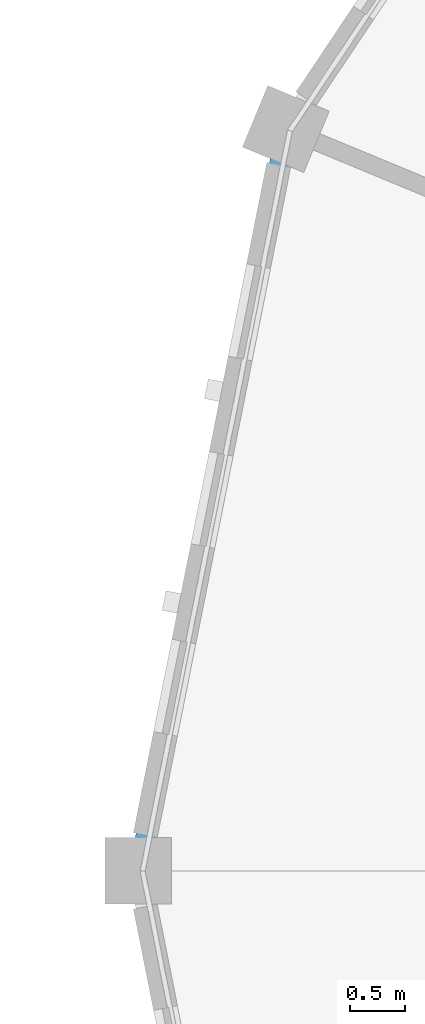
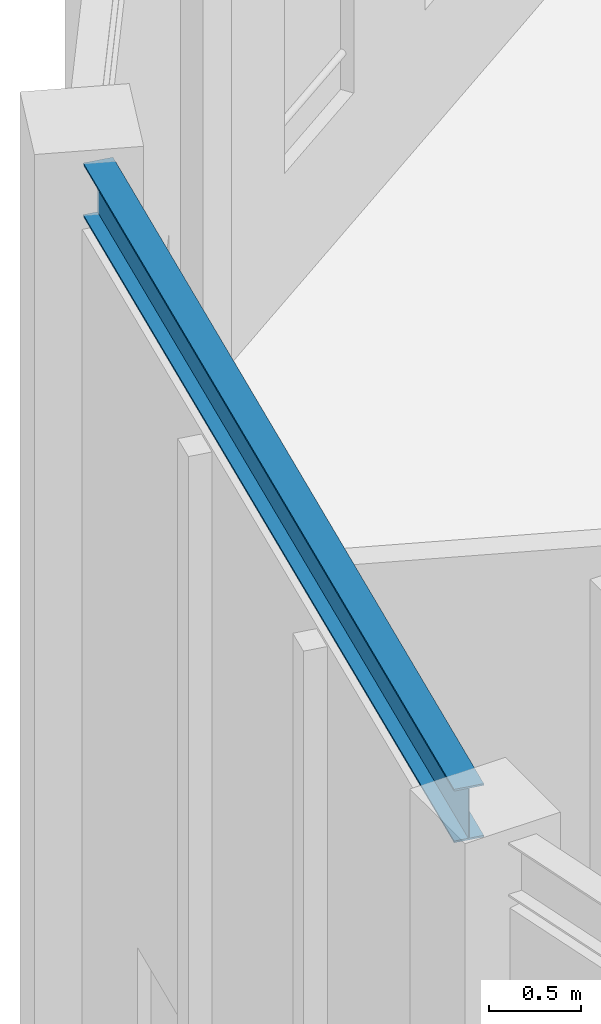
# One storey, part 76 of 149: 1 beam.
"""IFC4 building model written with IfcOpenShell, lengths in metres."""

from ifc_helpers import new_model, si_unit, direction, frame, origin, origin_2d, place, context, subcontext, project, spatial, i_section, extrude, material, material_profile, profile_set, type_object, element, save


model = new_model("IFC4")

# Units and contexts
model_context = context("Model", 3, precision=1e-05, world=origin(), true_north=direction((0.0, 1.0)))
body_context = subcontext(model_context, "Body", "Model", "MODEL_VIEW")
ifc_project = project(units=[si_unit("LENGTHUNIT", "METRE"), si_unit("AREAUNIT", "SQUARE_METRE"), si_unit("VOLUMEUNIT", "CUBIC_METRE"), si_unit("PLANEANGLEUNIT", "RADIAN"), si_unit("MASSUNIT", "GRAM", prefix="KILO")], contexts=[model_context])

# Site, building, storey
site_placement = place(None, origin())
site = spatial("IfcSite", under=ifc_project, at=site_placement, CompositionType="ELEMENT")
building_placement = place(site_placement, origin())
building = spatial("IfcBuilding", under=site, at=building_placement, Name="Celadon Cloister-Ring School", CompositionType="ELEMENT")
storey_placement = place(building_placement, frame((0.0, 0.0, 12.5)))
storey = spatial("IfcBuildingStorey", under=building, at=storey_placement, Name="L03", CompositionType="ELEMENT", Elevation=12.5)

# Beam
ifc_material = material(Name="Structural steel S355JR", Category="steel")
ifc_material_profile = material_profile(ifc_material, i_section(OverallWidth=0.1708984375, OverallDepth=0.35498046875, WebThickness=0.007080078125, FlangeThickness=0.01171875, at=origin_2d()), Name="W360X51")
ifc_profile_set = profile_set([ifc_material_profile], Name="Structural steel S355JR")
beam_type = type_object("IfcBeamType", Name="SP-04", PredefinedType="SPANDREL", material=ifc_profile_set)
beam_placement = place(storey_placement, frame((3.97802734375, 103.427001953125, 6.472900390625), z_axis=(-0.195001619501, -0.980802920261, 0.0), x_axis=(0.980802920261, -0.195001619501, 0.0)))
element("IfcBeam", 1, at=beam_placement, inside=storey, type_object=beam_type, Name="Beam 0828", PredefinedType="SPANDREL", context=body_context, shape_type="SweptSolid", body=[
    extrude(i_section(OverallWidth=0.1708984375, OverallDepth=0.35498046875, WebThickness=0.007080078125, FlangeThickness=0.01171875, at=origin_2d()), origin(), (0.0, 0.0, 1.0), 6.277587890625),
])

save(model, "model.ifc")
